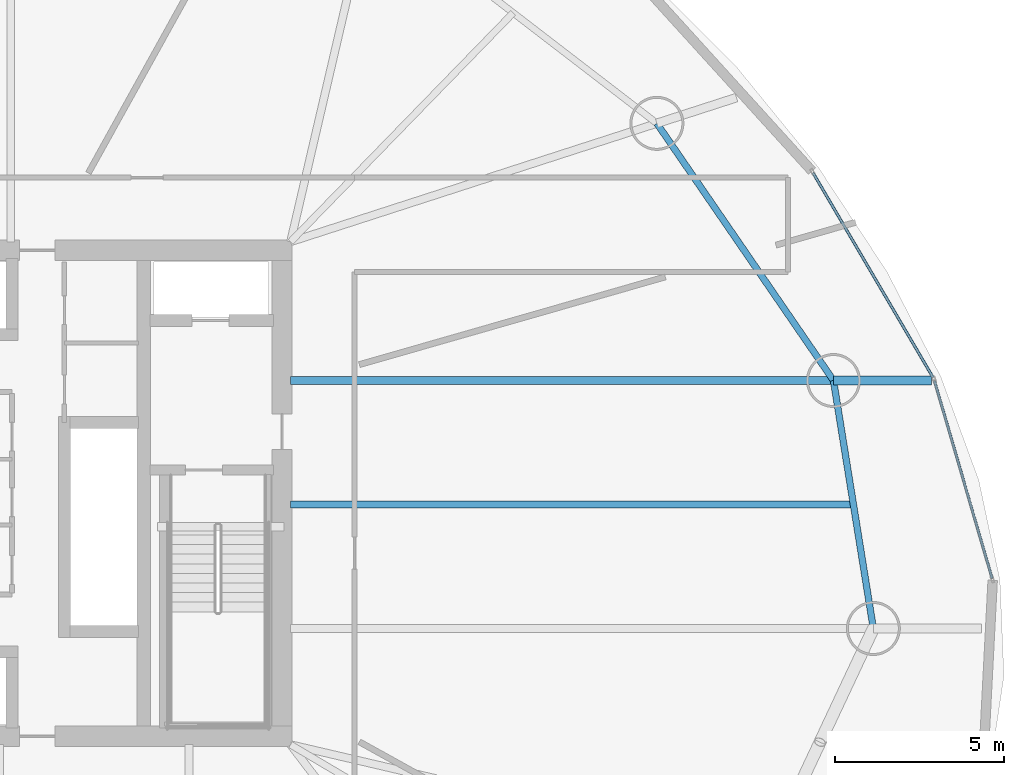
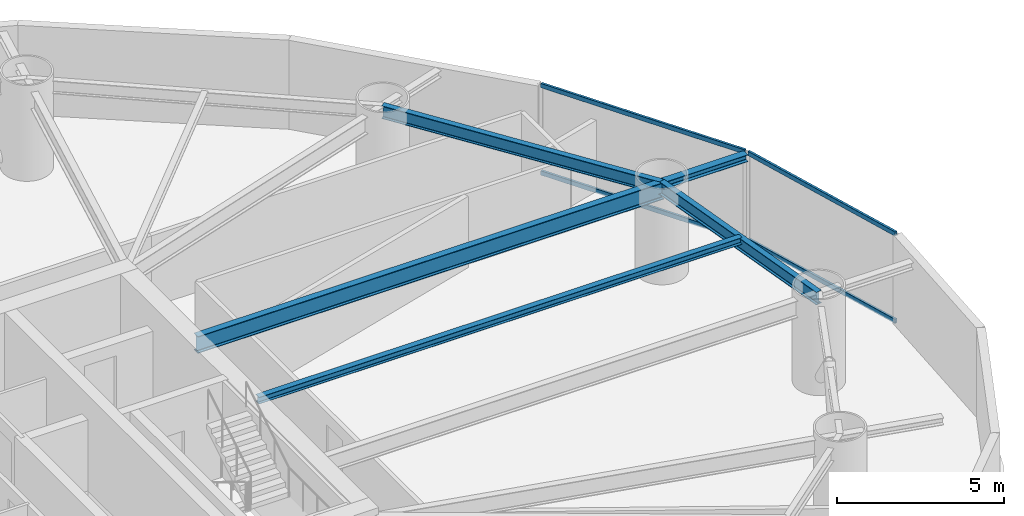
# One storey, part 14 of 30: 5 beams, 4 members, 2 elements without a shape of their own.
"""IFC4 building model written with IfcOpenShell, lengths in metres."""

from ifc_helpers import new_model, si_unit, direction, frame, origin, origin_2d, place, context, subcontext, project, spatial, hollow_rectangle, i_section, extrude, material, layer, layer_set, material_profile, profile_set, type_object, element, aggregate, save


model = new_model("IFC4")

# Units and contexts
model_context = context("Model", 3, precision=1e-05, world=origin(), true_north=direction((0.0, 1.0)))
body_context = subcontext(model_context, "Body", "Model", "MODEL_VIEW")
ifc_project = project(units=[si_unit("LENGTHUNIT", "METRE"), si_unit("AREAUNIT", "SQUARE_METRE"), si_unit("VOLUMEUNIT", "CUBIC_METRE"), si_unit("PLANEANGLEUNIT", "RADIAN"), si_unit("MASSUNIT", "GRAM", prefix="KILO")], contexts=[model_context])

# Site, building, storey
site_placement = place(None, origin())
site = spatial("IfcSite", under=ifc_project, at=site_placement, CompositionType="ELEMENT")
building_placement = place(site_placement, origin())
building = spatial("IfcBuilding", under=site, at=building_placement, Name="Bramvorn Convention Spire", CompositionType="ELEMENT")
storey_placement = place(building_placement, frame((0.0, 0.0, 90.39990234375)))
storey = spatial("IfcBuildingStorey", under=building, at=storey_placement, Name="L21", CompositionType="ELEMENT", Elevation=90.39990234375)

# Beams
ifc_material_1 = material(Name="Steel CSA G40.21 Grade 350 (350W)", Category="steel")
ifc_material_profile_1 = material_profile(ifc_material_1, i_section(OverallWidth=0.201904296875, OverallDepth=0.2470703125, WebThickness=0.00732421875, FlangeThickness=0.010986328125, FilletRadius=0.011962890625, at=origin_2d()))
ifc_profile_set_1 = profile_set([ifc_material_profile_1], Name="Steel CSA G40.21 Grade 350 (350W) - W250X49")
beam_type_1 = type_object("IfcBeamType", Name="BM-W250X49", PredefinedType="JOIST", material=ifc_profile_set_1)
beam_1_placement = place(storey_placement, frame((49.25, 25.666015625, 3.126708984375), z_axis=(1.0, 0.0, 0.0), x_axis=(0.0, 1.0, 0.0)))
element("IfcBeam", 1, at=beam_1_placement, inside=storey, type_object=beam_type_1, Name="L21 composite floor joist 01", PredefinedType="JOIST", context=body_context, shape_type="SweptSolid", body=[
    extrude(i_section(OverallWidth=0.201904296875, OverallDepth=0.2470703125, WebThickness=0.00732421875, FlangeThickness=0.010986328125, FilletRadius=0.011962890625, at=origin_2d()), origin(), (0.0, 0.0, 1.0), 16.67919921875),
])
ifc_material_profile_2 = material_profile(ifc_material_1, i_section(OverallWidth=0.25390625, OverallDepth=0.2529296875, WebThickness=0.008544921875, FlangeThickness=0.01416015625, FilletRadius=0.011962890625, at=origin_2d()))
ifc_profile_set_2 = profile_set([ifc_material_profile_2], Name="Steel CSA G40.21 Grade 350 (350W) - W250X73")
beam_type_2 = type_object("IfcBeamType", Name="BM-W250X73", PredefinedType="BEAM", material=ifc_profile_set_2)
beam_2_placement = place(storey_placement, frame((65.338623046875, 29.340087890625, 3.12353515625), z_axis=(1.0, 0.0, 0.0), x_axis=(0.0, 1.0, 0.0)))
element("IfcBeam", 2, at=beam_2_placement, inside=storey, type_object=beam_type_2, Name="L21 slab-edge cantilever tip beam MC02", PredefinedType="BEAM", context=body_context, shape_type="SweptSolid", body=[
    extrude(i_section(OverallWidth=0.25390625, OverallDepth=0.2529296875, WebThickness=0.008544921875, FlangeThickness=0.01416015625, FilletRadius=0.011962890625, at=origin_2d()), origin(), (0.0, 0.0, 1.0), 2.9033203125),
])
ifc_material_profile_3 = material_profile(ifc_material_1, i_section(OverallWidth=0.194091796875, OverallDepth=0.468994140625, WebThickness=0.0126953125, FlangeThickness=0.0205078125, FilletRadius=0.01806640625, at=origin_2d()))
ifc_profile_set_3 = profile_set([ifc_material_profile_3], Name="Steel CSA G40.21 Grade 350 (350W) - W460X106")
beam_type_3 = type_object("IfcBeamType", Name="BM-W460X106", PredefinedType="SPANDREL", material=ifc_profile_set_3)
beam_3_placement = place(storey_placement, frame((66.519775390625, 21.99169921875, 3.015625), z_axis=(-0.158699222824, 0.987326975563, 0.0), x_axis=(-0.987326975563, -0.158699222824, 0.0)))
element("IfcBeam", 3, at=beam_3_placement, inside=storey, type_object=beam_type_3, Name="L21 mega-column ring beam 01", PredefinedType="SPANDREL", context=body_context, shape_type="SweptSolid", body=[
    extrude(i_section(OverallWidth=0.194091796875, OverallDepth=0.468994140625, WebThickness=0.0126953125, FlangeThickness=0.0205078125, FilletRadius=0.01806640625, at=origin_2d()), origin(), (0.0, 0.0, 1.0), 7.442626953125),
])
beam_4_placement = place(storey_placement, frame((65.338623046875, 29.340087890625, 3.015625), z_axis=(-0.566129730789, 0.824316157743, 0.0), x_axis=(-0.824316157743, -0.566129730789, 0.0)))
element("IfcBeam", 4, at=beam_4_placement, inside=storey, type_object=beam_type_3, Name="L21 mega-column ring beam 02", PredefinedType="SPANDREL", context=body_context, shape_type="SweptSolid", body=[
    extrude(i_section(OverallWidth=0.194091796875, OverallDepth=0.468994140625, WebThickness=0.0126953125, FlangeThickness=0.0205078125, FilletRadius=0.01806640625, at=origin_2d()), origin(), (0.0, 0.0, 1.0), 9.244140625),
])
ifc_material_profile_4 = material_profile(ifc_material_1, i_section(OverallWidth=0.22998046875, OverallDepth=0.616943359375, WebThickness=0.01318359375, FlangeThickness=0.022216796875, FilletRadius=0.02001953125, at=origin_2d()))
ifc_profile_set_4 = profile_set([ifc_material_profile_4], Name="Steel CSA G40.21 Grade 350 (350W) - W610X140")
beam_type_4 = type_object("IfcBeamType", Name="BM-W610X140", PredefinedType="BEAM", material=ifc_profile_set_4)
beam_5_placement = place(storey_placement, frame((49.25, 29.340087890625, 2.941650390625), z_axis=(1.0, 0.0, 0.0), x_axis=(0.0, 1.0, 0.0)))
element("IfcBeam", 5, at=beam_5_placement, inside=storey, type_object=beam_type_4, Name="L21 radial floor girder MC02", PredefinedType="BEAM", context=body_context, shape_type="SweptSolid", body=[
    extrude(i_section(OverallWidth=0.22998046875, OverallDepth=0.616943359375, WebThickness=0.01318359375, FlangeThickness=0.022216796875, FilletRadius=0.02001953125, at=origin_2d()), origin(), (0.0, 0.0, 1.0), 16.088623046875),
])

# Curtain wall, members
ifc_material_2 = material(Name="Anodised Bronze Unitised Curtain Wall", Category="aluminium")
ifc_layer = layer(ifc_material_2, 0.179931640625)
ifc_layer_set = layer_set([ifc_layer], Name="Anodised Bronze Unitised Curtain Wall - CW-HTL-FRIT")
curtain_wall_type = type_object("IfcCurtainWallType", Name="CW-HTL-FRIT", PredefinedType="USERDEFINED", material=ifc_layer_set)
curtain_wall_1_placement = place(storey_placement, origin())
curtain_wall_1 = element("IfcCurtainWall", 6, at=curtain_wall_1_placement, inside=storey, type_object=curtain_wall_type, Name="L21 fritted glass curtain wall 02", ObjectType="UNITISED CURTAIN WALL", PredefinedType="USERDEFINED")
ifc_material_3 = material(Name="Anodised Bronze Aluminium 6063-T6", Category="aluminium")
ifc_material_profile_5 = material_profile(ifc_material_3, hollow_rectangle(XDim=0.080078125, YDim=0.159912109375, WallThickness=0.00390625, InnerFilletRadius=0.0009765625, OuterFilletRadius=0.00390625, at=origin_2d()))
ifc_profile_set_5 = profile_set([ifc_material_profile_5], Name="Anodised Bronze Aluminium 6063-T6 - CWT80X160")
member_type = type_object("IfcMemberType", Name="CW-TRN-150", PredefinedType="USERDEFINED", material=ifc_profile_set_5)
member_1_placement = place(storey_placement, frame((68.331787109375, 29.326904296875, 0.030029296875), z_axis=(0.280163116534, -0.959952409307, 0.0), x_axis=(0.959952409307, 0.280163116534, 0.0)))
member_1 = element("IfcMember", 7, at=member_1_placement, type_object=member_type, Name="CW2 transom 1.1", ObjectType="TRANSOM", PredefinedType="USERDEFINED", context=body_context, shape_type="SweptSolid", body=[
    extrude(hollow_rectangle(XDim=0.080078125, YDim=0.159912109375, WallThickness=0.00390625, InnerFilletRadius=0.0009765625, OuterFilletRadius=0.00390625, at=origin_2d()), origin(), (0.0, 0.0, 1.0), 6.092041015625),
])
member_2_placement = place(storey_placement, frame((68.331787109375, 29.326904296875, 3.22021484375), z_axis=(0.280163116534, -0.959952409307, 0.0), x_axis=(0.959952409307, 0.280163116534, 0.0)))
member_2 = element("IfcMember", 8, at=member_2_placement, type_object=member_type, Name="CW2 transom 1.2", ObjectType="TRANSOM", PredefinedType="USERDEFINED", context=body_context, shape_type="SweptSolid", body=[
    extrude(hollow_rectangle(XDim=0.080078125, YDim=0.159912109375, WallThickness=0.00390625, InnerFilletRadius=0.0009765625, OuterFilletRadius=0.00390625, at=origin_2d()), origin(), (0.0, 0.0, 1.0), 6.092041015625),
])
aggregate(curtain_wall_1, [member_1, member_2])

curtain_wall_2_placement = place(storey_placement, origin())
curtain_wall_2 = element("IfcCurtainWall", 9, at=curtain_wall_2_placement, inside=storey, type_object=curtain_wall_type, Name="L21 fritted glass curtain wall 03", ObjectType="UNITISED CURTAIN WALL", PredefinedType="USERDEFINED")
member_3_placement = place(storey_placement, frame((64.732177734375, 35.494140625, 0.030029296875), z_axis=(0.505860459012, -0.862615323309, 0.0), x_axis=(0.862615323309, 0.505860459012, 0.0)))
member_3 = element("IfcMember", 10, at=member_3_placement, type_object=member_type, Name="CW2 transom 1.1", ObjectType="TRANSOM", PredefinedType="USERDEFINED", context=body_context, shape_type="SweptSolid", body=[
    extrude(hollow_rectangle(XDim=0.080078125, YDim=0.159912109375, WallThickness=0.00390625, InnerFilletRadius=0.0009765625, OuterFilletRadius=0.00390625, at=origin_2d()), origin(), (0.0, 0.0, 1.0), 7.022705078125),
])
member_4_placement = place(storey_placement, frame((64.732177734375, 35.494140625, 3.22021484375), z_axis=(0.505860459012, -0.862615323309, 0.0), x_axis=(0.862615323309, 0.505860459012, 0.0)))
member_4 = element("IfcMember", 11, at=member_4_placement, type_object=member_type, Name="CW2 transom 1.2", ObjectType="TRANSOM", PredefinedType="USERDEFINED", context=body_context, shape_type="SweptSolid", body=[
    extrude(hollow_rectangle(XDim=0.080078125, YDim=0.159912109375, WallThickness=0.00390625, InnerFilletRadius=0.0009765625, OuterFilletRadius=0.00390625, at=origin_2d()), origin(), (0.0, 0.0, 1.0), 7.022705078125),
])
aggregate(curtain_wall_2, [member_3, member_4])

save(model, "model.ifc")
